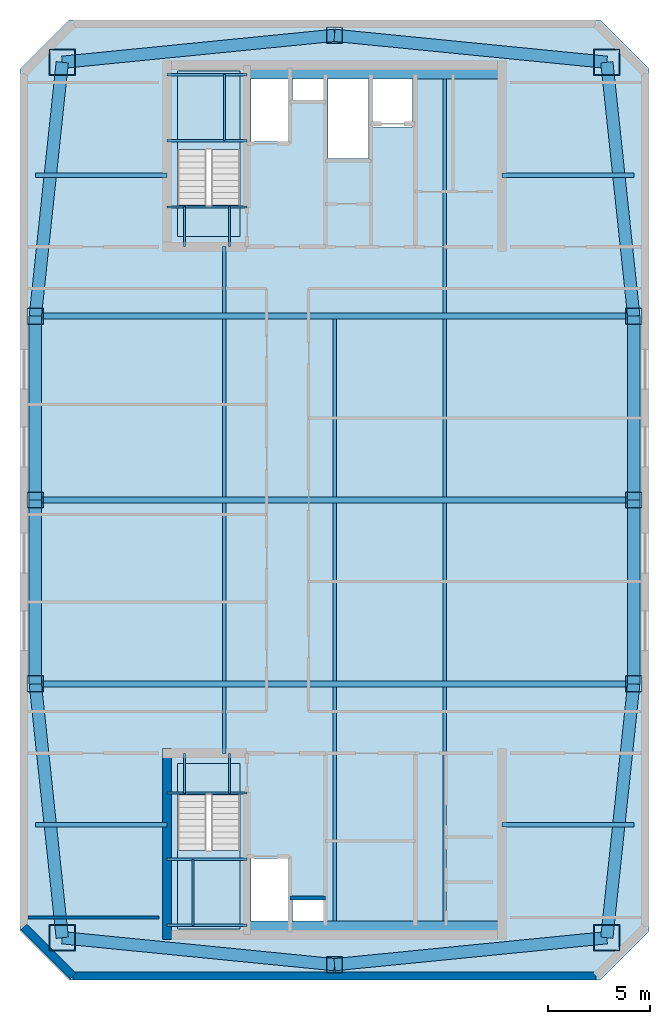
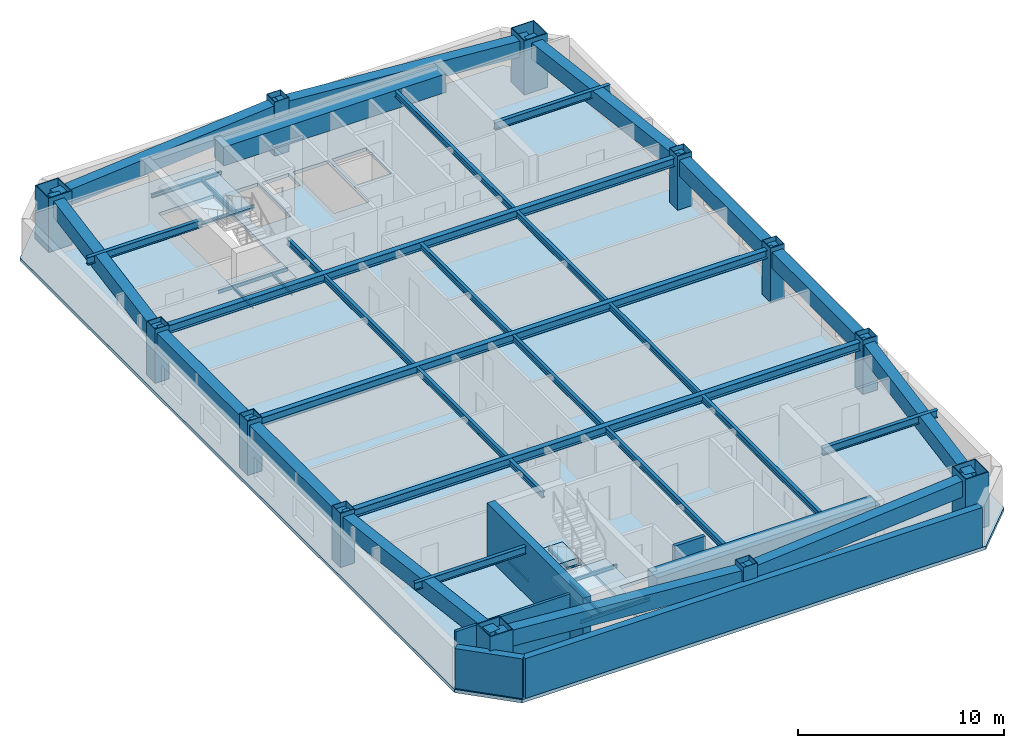
# One storey, part 1 of 5: 44 beams, 12 columns, 5 slabs, 5 walls, 2 elements without a shape of their own.
"""IFC4 building model written with IfcOpenShell, lengths in metres."""

from ifc_helpers import new_model, si_unit, direction, frame, frame_2d, origin, origin_2d, place, context, subcontext, project, spatial, polyline, rectangle, hollow_rectangle, i_section, outline, extrude, material, layer, layer_set, material_profile, profile_set, type_object, element, aggregate, save


model = new_model("IFC4")

# Units and contexts
model_context = context("Model", 3, precision=1e-05, world=origin(), true_north=direction((0.0, 1.0)))
body_context = subcontext(model_context, "Body", "Model", "MODEL_VIEW")
ifc_project = project(units=[si_unit("LENGTHUNIT", "METRE"), si_unit("AREAUNIT", "SQUARE_METRE"), si_unit("VOLUMEUNIT", "CUBIC_METRE"), si_unit("PLANEANGLEUNIT", "RADIAN"), si_unit("MASSUNIT", "GRAM", prefix="KILO")], contexts=[model_context])

# Site, building, storey
site_placement = place(None, origin())
site = spatial("IfcSite", under=ifc_project, at=site_placement, CompositionType="ELEMENT")
building_placement = place(site_placement, origin())
building = spatial("IfcBuilding", under=site, at=building_placement, Name="Qiaolan Cultural Towers", CompositionType="ELEMENT")
storey_placement = place(building_placement, frame((0.0, 0.0, 272.800048828125)))
storey = spatial("IfcBuildingStorey", under=building, at=storey_placement, Name="L75", CompositionType="ELEMENT", Elevation=272.800048828125)

# Columns
ifc_material_1 = material(Name="Steel Q390GJB", Category="steel")
ifc_material_profile_1 = material_profile(ifc_material_1, hollow_rectangle(XDim=1.300048828125, YDim=1.300048828125, WallThickness=0.044921875, at=origin_2d()), Name="BOX1300x1300x45")
ifc_profile_set_1 = profile_set([ifc_material_profile_1], Name="Steel Q390GJB")
column_type_1 = type_object("IfcColumnType", Name="COL-BOX1300x1300x45", PredefinedType="COLUMN", material=ifc_profile_set_1)
for number, where, z_axis, x_axis, name in (
    (1, (16.669921875, 12.570068359375, 0.0), (0.0, 0.0, 1.0), (1.0, 0.0, 0.0), "L75 T1 Perimeter Column MC-SW"),
    (2, (43.330078125, 12.570068359375, 0.0), (0.0, 0.0, 1.0), (1.0, 0.0, 0.0), "L75 T1 Perimeter Column MC-SE"),
    (3, (43.330078125, 55.429931640625, 0.0), (0.0, 0.0, 1.0), (1.0, 0.0, 0.0), "L75 T1 Perimeter Column MC-NE"),
    (4, (16.669921875, 55.429931640625, 0.0), (0.0, 0.0, 1.0), (1.0, 0.0, 0.0), "L75 T1 Perimeter Column MC-NW"),
):
    element("IfcColumn", number, at=place(storey_placement, frame(where, z_axis=z_axis, x_axis=x_axis)), inside=storey, type_object=column_type_1, Name=name, PredefinedType="COLUMN", context=body_context, shape_type="SweptSolid", body=[
        extrude(hollow_rectangle(XDim=1.300048828125, YDim=1.300048828125, WallThickness=0.044921875, at=origin_2d()), origin(), (0.0, 0.0, 1.0), 3.200927734375),
    ])
ifc_material_2 = material(Name="Steel Q355B", Category="steel")
ifc_material_profile_2 = material_profile(ifc_material_2, hollow_rectangle(XDim=0.800048828125, YDim=0.800048828125, WallThickness=0.028076171875, at=origin_2d()), Name="BOX800x800x28")
ifc_profile_set_2 = profile_set([ifc_material_profile_2], Name="Steel Q355B")
column_type_2 = type_object("IfcColumnType", Name="COL-BOX800x800x28", PredefinedType="COLUMN", material=ifc_profile_set_2)
for number, where, z_axis, x_axis, name in (
    (5, (15.35009765625, 25.0, 0.0), (0.0, 0.0, 1.0), (1.0, 0.0, 0.0), "L75 T1 Perimeter Column PC-W1"),
    (6, (15.35009765625, 34.0, 0.0), (0.0, 0.0, 1.0), (1.0, 0.0, 0.0), "L75 T1 Perimeter Column PC-W2"),
    (7, (15.35009765625, 43.0, 0.0), (0.0, 0.0, 1.0), (1.0, 0.0, 0.0), "L75 T1 Perimeter Column PC-W3"),
    (8, (44.64990234375, 25.0, 0.0), (0.0, 0.0, 1.0), (1.0, 0.0, 0.0), "L75 T1 Perimeter Column PC-E1"),
    (9, (44.64990234375, 34.0, 0.0), (0.0, 0.0, 1.0), (1.0, 0.0, 0.0), "L75 T1 Perimeter Column PC-E2"),
    (10, (44.64990234375, 43.0, 0.0), (0.0, 0.0, 1.0), (1.0, 0.0, 0.0), "L75 T1 Perimeter Column PC-E3"),
    (11, (30.0, 11.25, 0.0), (0.0, 0.0, 1.0), (1.0, 0.0, 0.0), "L75 T1 Perimeter Column PC-S0"),
    (12, (30.0, 56.75, 0.0), (0.0, 0.0, 1.0), (1.0, 0.0, 0.0), "L75 T1 Perimeter Column PC-N0"),
):
    element("IfcColumn", number, at=place(storey_placement, frame(where, z_axis=z_axis, x_axis=x_axis)), inside=storey, type_object=column_type_2, Name=name, PredefinedType="COLUMN", context=body_context, shape_type="SweptSolid", body=[
        extrude(hollow_rectangle(XDim=0.800048828125, YDim=0.800048828125, WallThickness=0.028076171875, at=origin_2d()), origin(), (0.0, 0.0, 1.0), 3.200927734375),
    ])

# Beams
ifc_material_3 = material(Name="Steel Q355B", Category="steel")
ifc_material_profile_3 = material_profile(ifc_material_3, i_section(OverallWidth=0.300048828125, OverallDepth=0.488037109375, WebThickness=0.010986328125, FlangeThickness=0.01806640625, at=origin_2d()), Name="HM488x300x11x18")
ifc_profile_set_3 = profile_set([ifc_material_profile_3], Name="Steel Q355B")
beam_type_1 = type_object("IfcBeamType", Name="BM-HM488x300x11x18", PredefinedType="BEAM", material=ifc_profile_set_3)
for number, where, z_axis, x_axis, name in (
    (13, (15.35009765625, 25.0, 2.696044921875), (1.0, 0.0, 0.0), (0.0, 1.0, 0.0), "L75 T1 Primary Transverse Girder V1"),
    (14, (15.35009765625, 34.0, 2.696044921875), (1.0, 0.0, 0.0), (0.0, 1.0, 0.0), "L75 T1 Primary Transverse Girder V2"),
    (15, (15.35009765625, 43.0, 2.696044921875), (1.0, 0.0, 0.0), (0.0, 1.0, 0.0), "L75 T1 Primary Transverse Girder V3"),
):
    element("IfcBeam", number, at=place(storey_placement, frame(where, z_axis=z_axis, x_axis=x_axis)), inside=storey, type_object=beam_type_1, Name=name, PredefinedType="BEAM", context=body_context, shape_type="SweptSolid", body=[
        extrude(i_section(OverallWidth=0.300048828125, OverallDepth=0.488037109375, WebThickness=0.010986328125, FlangeThickness=0.01806640625, at=origin_2d()), origin(), (0.0, 0.0, 1.0), 29.2998046875),
    ])
ifc_material_4 = material(Name="Steel Q355B", Category="steel")
ifc_material_profile_4 = material_profile(ifc_material_4, i_section(OverallWidth=0.175048828125, OverallDepth=0.35009765625, WebThickness=0.007080078125, FlangeThickness=0.010986328125, at=origin_2d()), Name="HN350x175x7x11")
ifc_profile_set_4 = profile_set([ifc_material_profile_4], Name="Steel Q355B")
beam_type_2 = type_object("IfcBeamType", Name="BM-JST-HN350x175x7x11", PredefinedType="JOIST", material=ifc_profile_set_4)
beam_1_placement = place(storey_placement, frame((24.60009765625, 21.60009765625, 2.764892578125), z_axis=(0.0, 1.0, 0.0), x_axis=(-1.0, 0.0, 0.0)))
element("IfcBeam", 16, at=beam_1_placement, inside=storey, type_object=beam_type_2, Name="L75 T1 Secondary Floor Joist U1-1", PredefinedType="JOIST", context=body_context, shape_type="SweptSolid", body=[
    extrude(i_section(OverallWidth=0.175048828125, OverallDepth=0.35009765625, WebThickness=0.007080078125, FlangeThickness=0.010986328125, at=origin_2d()), origin(), (0.0, 0.0, 1.0), 3.25),
])
for number, where, z_axis, x_axis, name in (
    (17, (24.60009765625, 25.14990234375, 2.764892578125), (0.0, 1.0, 0.0), (-1.0, 0.0, 0.0), "L75 T1 Secondary Floor Joist U1-2"),
    (18, (24.60009765625, 34.14990234375, 2.764892578125), (0.0, 1.0, 0.0), (-1.0, 0.0, 0.0), "L75 T1 Secondary Floor Joist U1-3"),
):
    element("IfcBeam", number, at=place(storey_placement, frame(where, z_axis=z_axis, x_axis=x_axis)), inside=storey, type_object=beam_type_2, Name=name, PredefinedType="JOIST", context=body_context, shape_type="SweptSolid", body=[
        extrude(i_section(OverallWidth=0.175048828125, OverallDepth=0.35009765625, WebThickness=0.007080078125, FlangeThickness=0.010986328125, at=origin_2d()), origin(), (0.0, 0.0, 1.0), 8.7001953125),
    ])
beam_2_placement = place(storey_placement, frame((24.60009765625, 43.14990234375, 2.764892578125), z_axis=(0.0, 1.0, 0.0), x_axis=(-1.0, 0.0, 0.0)))
element("IfcBeam", 19, at=beam_2_placement, inside=storey, type_object=beam_type_2, Name="L75 T1 Secondary Floor Joist U1-4", PredefinedType="JOIST", context=body_context, shape_type="SweptSolid", body=[
    extrude(i_section(OverallWidth=0.175048828125, OverallDepth=0.35009765625, WebThickness=0.007080078125, FlangeThickness=0.010986328125, at=origin_2d()), origin(), (0.0, 0.0, 1.0), 3.25),
])
beam_3_placement = place(storey_placement, frame((30.0, 13.39990234375, 2.764892578125), z_axis=(0.0, 1.0, 0.0), x_axis=(-1.0, 0.0, 0.0)))
element("IfcBeam", 20, at=beam_3_placement, inside=storey, type_object=beam_type_2, Name="L75 T1 Secondary Floor Joist U2-1", PredefinedType="JOIST", context=body_context, shape_type="SweptSolid", body=[
    extrude(i_section(OverallWidth=0.175048828125, OverallDepth=0.35009765625, WebThickness=0.007080078125, FlangeThickness=0.010986328125, at=origin_2d()), origin(), (0.0, 0.0, 1.0), 11.4501953125),
])
for number, where, z_axis, x_axis, name in (
    (21, (30.0, 25.14990234375, 2.764892578125), (0.0, 1.0, 0.0), (-1.0, 0.0, 0.0), "L75 T1 Secondary Floor Joist U2-2"),
    (22, (30.0, 34.14990234375, 2.764892578125), (0.0, 1.0, 0.0), (-1.0, 0.0, 0.0), "L75 T1 Secondary Floor Joist U2-3"),
):
    element("IfcBeam", number, at=place(storey_placement, frame(where, z_axis=z_axis, x_axis=x_axis)), inside=storey, type_object=beam_type_2, Name=name, PredefinedType="JOIST", context=body_context, shape_type="SweptSolid", body=[
        extrude(i_section(OverallWidth=0.175048828125, OverallDepth=0.35009765625, WebThickness=0.007080078125, FlangeThickness=0.010986328125, at=origin_2d()), origin(), (0.0, 0.0, 1.0), 8.7001953125),
    ])
beam_4_placement = place(storey_placement, frame((35.39990234375, 13.39990234375, 2.764892578125), z_axis=(0.0, 1.0, 0.0), x_axis=(-1.0, 0.0, 0.0)))
element("IfcBeam", 23, at=beam_4_placement, inside=storey, type_object=beam_type_2, Name="L75 T1 Secondary Floor Joist U3-1", PredefinedType="JOIST", context=body_context, shape_type="SweptSolid", body=[
    extrude(i_section(OverallWidth=0.175048828125, OverallDepth=0.35009765625, WebThickness=0.007080078125, FlangeThickness=0.010986328125, at=origin_2d()), origin(), (0.0, 0.0, 1.0), 11.4501953125),
])
for number, where, z_axis, x_axis, name in (
    (24, (35.39990234375, 25.14990234375, 2.764892578125), (0.0, 1.0, 0.0), (-1.0, 0.0, 0.0), "L75 T1 Secondary Floor Joist U3-2"),
    (25, (35.39990234375, 34.14990234375, 2.764892578125), (0.0, 1.0, 0.0), (-1.0, 0.0, 0.0), "L75 T1 Secondary Floor Joist U3-3"),
):
    element("IfcBeam", number, at=place(storey_placement, frame(where, z_axis=z_axis, x_axis=x_axis)), inside=storey, type_object=beam_type_2, Name=name, PredefinedType="JOIST", context=body_context, shape_type="SweptSolid", body=[
        extrude(i_section(OverallWidth=0.175048828125, OverallDepth=0.35009765625, WebThickness=0.007080078125, FlangeThickness=0.010986328125, at=origin_2d()), origin(), (0.0, 0.0, 1.0), 8.7001953125),
    ])
beam_5_placement = place(storey_placement, frame((35.39990234375, 43.14990234375, 2.764892578125), z_axis=(0.0, 1.0, 0.0), x_axis=(-1.0, 0.0, 0.0)))
element("IfcBeam", 26, at=beam_5_placement, inside=storey, type_object=beam_type_2, Name="L75 T1 Secondary Floor Joist U3-4", PredefinedType="JOIST", context=body_context, shape_type="SweptSolid", body=[
    extrude(i_section(OverallWidth=0.175048828125, OverallDepth=0.35009765625, WebThickness=0.007080078125, FlangeThickness=0.010986328125, at=origin_2d()), origin(), (0.0, 0.0, 1.0), 11.4501953125),
])
ifc_material_5 = material(Name="Steel Q355B", Category="steel")
ifc_material_profile_5 = material_profile(ifc_material_5, i_section(OverallWidth=0.199951171875, OverallDepth=0.449951171875, WebThickness=0.009033203125, FlangeThickness=0.013916015625, at=origin_2d()), Name="HN450x200x9x14")
ifc_profile_set_5 = profile_set([ifc_material_profile_5], Name="Steel Q355B")
beam_type_3 = type_object("IfcBeamType", Name="BM-LNT-HN450x200x9x14", PredefinedType="LINTEL", material=ifc_profile_set_5)
for number, where, z_axis, x_axis, name in (
    (27, (21.800048828125, 18.10009765625, 2.71484375), (-1.0, 0.0, 0.0), (0.0, -1.0, 0.0), "L75 T1 Core Flank Tie Lintel WS"),
    (28, (21.800048828125, 49.89990234375, 2.71484375), (-1.0, 0.0, 0.0), (0.0, -1.0, 0.0), "L75 T1 Core Flank Tie Lintel WN"),
    (29, (38.199951171875, 18.10009765625, 2.71484375), (1.0, 0.0, 0.0), (0.0, 1.0, 0.0), "L75 T1 Core Flank Tie Lintel ES"),
    (30, (38.199951171875, 49.89990234375, 2.71484375), (1.0, 0.0, 0.0), (0.0, 1.0, 0.0), "L75 T1 Core Flank Tie Lintel EN"),
):
    element("IfcBeam", number, at=place(storey_placement, frame(where, z_axis=z_axis, x_axis=x_axis)), inside=storey, type_object=beam_type_3, Name=name, PredefinedType="LINTEL", context=body_context, shape_type="SweptSolid", body=[
        extrude(i_section(OverallWidth=0.199951171875, OverallDepth=0.449951171875, WebThickness=0.009033203125, FlangeThickness=0.013916015625, at=origin_2d()), origin(), (0.0, 0.0, 1.0), 6.449951171875),
    ])
ifc_material_6 = material(Name="Concrete C50", Category="concrete")
ifc_material_profile_6 = material_profile(ifc_material_6, rectangle(XDim=0.89990234375, YDim=1.10009765625, at=origin_2d()), Name="RC900x1100")
ifc_profile_set_6 = profile_set([ifc_material_profile_6], Name="Concrete C50")
beam_type_4 = type_object("IfcBeamType", Name="BM-RC900x1100", PredefinedType="BEAM", material=ifc_profile_set_6)
for number, where, z_axis, x_axis, name in (
    (31, (25.719970703125, 12.949951171875, 2.389892578125), (1.0, 0.0, 0.0), (0.0, 1.0, 0.0), "L75 T1 Core Header Girder S"),
    (32, (25.719970703125, 55.050048828125, 2.389892578125), (1.0, 0.0, 0.0), (0.0, 1.0, 0.0), "L75 T1 Core Header Girder N"),
):
    element("IfcBeam", number, at=place(storey_placement, frame(where, z_axis=z_axis, x_axis=x_axis)), inside=storey, type_object=beam_type_4, Name=name, PredefinedType="BEAM", context=body_context, shape_type="SweptSolid", body=[
        extrude(rectangle(XDim=0.89990234375, YDim=1.10009765625, at=origin_2d()), origin(), (0.0, 0.0, 1.0), 12.47998046875),
    ])
ifc_material_7 = material(Name="Concrete C50", Category="concrete")
ifc_material_profile_7 = material_profile(ifc_material_7, rectangle(XDim=0.60009765625, YDim=0.949951171875, at=origin_2d()), Name="RC600x950")
ifc_profile_set_7 = profile_set([ifc_material_profile_7], Name="Concrete C50")
beam_type_5 = type_object("IfcBeamType", Name="BM-SPD-RC600x950", PredefinedType="SPANDREL", material=ifc_profile_set_7)
for number, where, z_axis, x_axis, name in (
    (33, (16.669921875, 12.570068359375, 2.46484375), (0.995132371263, -0.098547266143, 0.0), (0.098547266143, 0.995132371263, 0.0), "L75 T1 Perimeter Spandrel Beam 1"),
    (34, (30.0, 11.25, 2.46484375), (0.995132371263, 0.098547266143, 0.0), (-0.098547266143, 0.995132371263, 0.0), "L75 T1 Perimeter Spandrel Beam 2"),
):
    element("IfcBeam", number, at=place(storey_placement, frame(where, z_axis=z_axis, x_axis=x_axis)), inside=storey, type_object=beam_type_5, Name=name, PredefinedType="SPANDREL", context=body_context, shape_type="SweptSolid", body=[
        extrude(rectangle(XDim=0.60009765625, YDim=0.949951171875, at=origin_2d()), origin(), (0.0, 0.0, 1.0), 13.395263671875),
    ])
beam_6_placement = place(storey_placement, frame((43.330078125, 12.570068359375, 2.46484375), z_axis=(0.105587580773, 0.994410007384, 0.0), x_axis=(-0.994410007384, 0.105587580773, 0.0)))
element("IfcBeam", 35, at=beam_6_placement, inside=storey, type_object=beam_type_5, Name="L75 T1 Perimeter Spandrel Beam 3", PredefinedType="SPANDREL", context=body_context, shape_type="SweptSolid", body=[
    extrude(rectangle(XDim=0.60009765625, YDim=0.949951171875, at=origin_2d()), origin(), (0.0, 0.0, 1.0), 12.499755859375),
])
for number, where, z_axis, x_axis, name in (
    (36, (44.64990234375, 25.0, 2.46484375), (0.0, 1.0, 0.0), (-1.0, 0.0, 0.0), "L75 T1 Perimeter Spandrel Beam 4"),
    (37, (44.64990234375, 34.0, 2.46484375), (0.0, 1.0, 0.0), (-1.0, 0.0, 0.0), "L75 T1 Perimeter Spandrel Beam 5"),
):
    element("IfcBeam", number, at=place(storey_placement, frame(where, z_axis=z_axis, x_axis=x_axis)), inside=storey, type_object=beam_type_5, Name=name, PredefinedType="SPANDREL", context=body_context, shape_type="SweptSolid", body=[
        extrude(rectangle(XDim=0.60009765625, YDim=0.949951171875, at=origin_2d()), origin(), (0.0, 0.0, 1.0), 9.0),
    ])
beam_7_placement = place(storey_placement, frame((44.64990234375, 43.0, 2.46484375), z_axis=(-0.105587580773, 0.994410007384, 0.0), x_axis=(-0.994410007384, -0.105587580773, 0.0)))
element("IfcBeam", 38, at=beam_7_placement, inside=storey, type_object=beam_type_5, Name="L75 T1 Perimeter Spandrel Beam 6", PredefinedType="SPANDREL", context=body_context, shape_type="SweptSolid", body=[
    extrude(rectangle(XDim=0.60009765625, YDim=0.949951171875, at=origin_2d()), origin(), (0.0, 0.0, 1.0), 12.499755859375),
])
for number, where, z_axis, x_axis, name in (
    (39, (43.330078125, 55.429931640625, 2.46484375), (-0.995132371263, 0.098547266143, 0.0), (-0.098547266143, -0.995132371263, 0.0), "L75 T1 Perimeter Spandrel Beam 7"),
    (40, (30.0, 56.75, 2.46484375), (-0.995132371263, -0.098547266143, 0.0), (0.098547266143, -0.995132371263, 0.0), "L75 T1 Perimeter Spandrel Beam 8"),
):
    element("IfcBeam", number, at=place(storey_placement, frame(where, z_axis=z_axis, x_axis=x_axis)), inside=storey, type_object=beam_type_5, Name=name, PredefinedType="SPANDREL", context=body_context, shape_type="SweptSolid", body=[
        extrude(rectangle(XDim=0.60009765625, YDim=0.949951171875, at=origin_2d()), origin(), (0.0, 0.0, 1.0), 13.395263671875),
    ])
beam_8_placement = place(storey_placement, frame((16.669921875, 55.429931640625, 2.46484375), z_axis=(-0.105587580773, -0.994410007384, 0.0), x_axis=(0.994410007384, -0.105587580773, 0.0)))
element("IfcBeam", 41, at=beam_8_placement, inside=storey, type_object=beam_type_5, Name="L75 T1 Perimeter Spandrel Beam 9", PredefinedType="SPANDREL", context=body_context, shape_type="SweptSolid", body=[
    extrude(rectangle(XDim=0.60009765625, YDim=0.949951171875, at=origin_2d()), origin(), (0.0, 0.0, 1.0), 12.499755859375),
])
for number, where, z_axis, x_axis, name in (
    (42, (15.35009765625, 43.0, 2.46484375), (0.0, -1.0, 0.0), (1.0, 0.0, 0.0), "L75 T1 Perimeter Spandrel Beam 10"),
    (43, (15.35009765625, 34.0, 2.46484375), (0.0, -1.0, 0.0), (1.0, 0.0, 0.0), "L75 T1 Perimeter Spandrel Beam 11"),
):
    element("IfcBeam", number, at=place(storey_placement, frame(where, z_axis=z_axis, x_axis=x_axis)), inside=storey, type_object=beam_type_5, Name=name, PredefinedType="SPANDREL", context=body_context, shape_type="SweptSolid", body=[
        extrude(rectangle(XDim=0.60009765625, YDim=0.949951171875, at=origin_2d()), origin(), (0.0, 0.0, 1.0), 9.0),
    ])
beam_9_placement = place(storey_placement, frame((15.35009765625, 25.0, 2.46484375), z_axis=(0.105587580773, -0.994410007384, 0.0), x_axis=(0.994410007384, 0.105587580773, 0.0)))
element("IfcBeam", 44, at=beam_9_placement, inside=storey, type_object=beam_type_5, Name="L75 T1 Perimeter Spandrel Beam 12", PredefinedType="SPANDREL", context=body_context, shape_type="SweptSolid", body=[
    extrude(rectangle(XDim=0.60009765625, YDim=0.949951171875, at=origin_2d()), origin(), (0.0, 0.0, 1.0), 12.499755859375),
])
ifc_material_8 = material(Name="Steel Q355B", Category="steel")
ifc_material_profile_8 = material_profile(ifc_material_8, i_section(OverallWidth=0.10009765625, OverallDepth=0.199951171875, WebThickness=0.005615234375, FlangeThickness=0.008056640625, at=origin_2d()), Name="HN200x100x5.5x8")
ifc_profile_set_8 = profile_set([ifc_material_profile_8], Name="Steel Q355B")
beam_type_6 = type_object("IfcBeamType", Name="BM-STTRIM-200", PredefinedType="BEAM", material=ifc_profile_set_8)
beam_10_placement = place(storey_placement, frame((21.800048828125, 19.659912109375, -0.4599609375), z_axis=(1.0, 0.0, 0.0), x_axis=(0.0, 1.0, 0.0)))
element("IfcBeam", 45, at=beam_10_placement, inside=storey, type_object=beam_type_6, Name="L75 ST-W1 Floor Landing Header Beam", PredefinedType="BEAM", context=body_context, shape_type="SweptSolid", body=[
    extrude(i_section(OverallWidth=0.10009765625, OverallDepth=0.199951171875, WebThickness=0.005615234375, FlangeThickness=0.008056640625, at=origin_2d()), origin(), (0.0, 0.0, 1.0), 3.919921875),
])
for number, where, z_axis, x_axis, name in (
    (46, (22.64990234375, 21.60009765625, -0.4599609375), (0.0, -1.0, 0.0), (1.0, 0.0, 0.0), "L75 ST-W1 Floor Landing Stringer 1"),
    (47, (24.85009765625, 21.60009765625, -0.4599609375), (0.0, -1.0, 0.0), (1.0, 0.0, 0.0), "L75 ST-W1 Floor Landing Stringer 2"),
):
    element("IfcBeam", number, at=place(storey_placement, frame(where, z_axis=z_axis, x_axis=x_axis)), inside=storey, type_object=beam_type_6, Name=name, PredefinedType="BEAM", context=body_context, shape_type="SweptSolid", body=[
        extrude(i_section(OverallWidth=0.10009765625, OverallDepth=0.199951171875, WebThickness=0.005615234375, FlangeThickness=0.008056640625, at=origin_2d()), origin(), (0.0, 0.0, 1.0), 1.940185546875),
    ])
for number, where, z_axis, x_axis, name in (
    (48, (21.800048828125, 16.411376953125, 1.300048828125), (1.0, 0.0, 0.0), (0.0, 1.0, 0.0), "L75 ST-W1 Stair Landing Support Beam 1-1"),
    (49, (21.800048828125, 13.179931640625, 1.300048828125), (1.0, 0.0, 0.0), (0.0, 1.0, 0.0), "L75 ST-W1 Stair Landing Support Beam 1-2"),
):
    element("IfcBeam", number, at=place(storey_placement, frame(where, z_axis=z_axis, x_axis=x_axis)), inside=storey, type_object=beam_type_6, Name=name, PredefinedType="BEAM", context=body_context, shape_type="SweptSolid", body=[
        extrude(i_section(OverallWidth=0.10009765625, OverallDepth=0.199951171875, WebThickness=0.005615234375, FlangeThickness=0.008056640625, at=origin_2d()), origin(), (0.0, 0.0, 1.0), 3.919921875),
    ])
beam_11_placement = place(storey_placement, frame((23.070068359375, 16.411376953125, 1.300048828125), z_axis=(0.0, -1.0, 0.0), x_axis=(1.0, 0.0, 0.0)))
element("IfcBeam", 50, at=beam_11_placement, inside=storey, type_object=beam_type_6, Name="L75 ST-W1 Stair Landing Trimmer 1", PredefinedType="BEAM", context=body_context, shape_type="SweptSolid", body=[
    extrude(i_section(OverallWidth=0.10009765625, OverallDepth=0.199951171875, WebThickness=0.005615234375, FlangeThickness=0.008056640625, at=origin_2d()), origin(), (0.0, 0.0, 1.0), 3.2314453125),
])
beam_12_placement = place(storey_placement, frame((21.800048828125, 48.340087890625, -0.4599609375), z_axis=(1.0, 0.0, 0.0), x_axis=(0.0, 1.0, 0.0)))
element("IfcBeam", 51, at=beam_12_placement, inside=storey, type_object=beam_type_6, Name="L75 ST-W2 Floor Landing Header Beam", PredefinedType="BEAM", context=body_context, shape_type="SweptSolid", body=[
    extrude(i_section(OverallWidth=0.10009765625, OverallDepth=0.199951171875, WebThickness=0.005615234375, FlangeThickness=0.008056640625, at=origin_2d()), origin(), (0.0, 0.0, 1.0), 3.919921875),
])
for number, where, z_axis, x_axis, name in (
    (52, (22.64990234375, 46.39990234375, -0.4599609375), (0.0, 1.0, 0.0), (-1.0, 0.0, 0.0), "L75 ST-W2 Floor Landing Stringer 1"),
    (53, (24.85009765625, 46.39990234375, -0.4599609375), (0.0, 1.0, 0.0), (-1.0, 0.0, 0.0), "L75 ST-W2 Floor Landing Stringer 2"),
):
    element("IfcBeam", number, at=place(storey_placement, frame(where, z_axis=z_axis, x_axis=x_axis)), inside=storey, type_object=beam_type_6, Name=name, PredefinedType="BEAM", context=body_context, shape_type="SweptSolid", body=[
        extrude(i_section(OverallWidth=0.10009765625, OverallDepth=0.199951171875, WebThickness=0.005615234375, FlangeThickness=0.008056640625, at=origin_2d()), origin(), (0.0, 0.0, 1.0), 1.940185546875),
    ])
for number, where, z_axis, x_axis, name in (
    (54, (21.800048828125, 51.588623046875, 1.300048828125), (1.0, 0.0, 0.0), (0.0, 1.0, 0.0), "L75 ST-W2 Stair Landing Support Beam 1-1"),
    (55, (21.800048828125, 54.820068359375, 1.300048828125), (1.0, 0.0, 0.0), (0.0, 1.0, 0.0), "L75 ST-W2 Stair Landing Support Beam 1-2"),
):
    element("IfcBeam", number, at=place(storey_placement, frame(where, z_axis=z_axis, x_axis=x_axis)), inside=storey, type_object=beam_type_6, Name=name, PredefinedType="BEAM", context=body_context, shape_type="SweptSolid", body=[
        extrude(i_section(OverallWidth=0.10009765625, OverallDepth=0.199951171875, WebThickness=0.005615234375, FlangeThickness=0.008056640625, at=origin_2d()), origin(), (0.0, 0.0, 1.0), 3.919921875),
    ])
beam_13_placement = place(storey_placement, frame((24.610107421875, 51.588623046875, 1.300048828125), z_axis=(0.0, 1.0, 0.0), x_axis=(-1.0, 0.0, 0.0)))
element("IfcBeam", 56, at=beam_13_placement, inside=storey, type_object=beam_type_6, Name="L75 ST-W2 Stair Landing Trimmer 1", PredefinedType="BEAM", context=body_context, shape_type="SweptSolid", body=[
    extrude(i_section(OverallWidth=0.10009765625, OverallDepth=0.199951171875, WebThickness=0.005615234375, FlangeThickness=0.008056640625, at=origin_2d()), origin(), (0.0, 0.0, 1.0), 3.2314453125),
])

# Slab
ifc_material_9 = material(Name="Concrete C45", Category="concrete")
ifc_layer_1 = layer(ifc_material_9, 0.199951171875)
ifc_layer_set_1 = layer_set([ifc_layer_1], Name="Concrete C45")
slab_type_1 = type_object("IfcSlabType", Name="SL-HI-200", PredefinedType="FLOOR", material=ifc_layer_set_1)
slab_1_placement = place(storey_placement, frame((0.0, 0.0, -0.199951171875)))
element("IfcSlab", 57, at=slab_1_placement, inside=storey, type_object=slab_type_1, Name="L75 West Tower Floor Slab", PredefinedType="FLOOR", context=body_context, shape_type="SweptSolid", body=[
    extrude(outline(polyline([(17.0, 10.5), (43.0, 10.5), (45.39990234375, 12.89990234375), (45.39990234375, 55.10009765625), (43.0, 57.5), (17.0, 57.5), (14.60009765625, 55.10009765625), (14.60009765625, 12.89990234375), (17.0, 10.5)]), holes=[polyline([(22.300048828125, 21.10009765625), (22.300048828125, 13.0), (25.3798828125, 13.0), (25.3798828125, 21.10009765625), (22.300048828125, 21.10009765625)]), polyline([(25.3798828125, 46.89990234375), (25.3798828125, 55.0), (22.300048828125, 55.0), (22.300048828125, 46.89990234375), (25.3798828125, 46.89990234375)]), polyline([(25.89990234375, 13.199951171875), (27.75, 13.199951171875), (27.75, 16.449951171875), (25.89990234375, 16.449951171875), (25.89990234375, 13.199951171875)]), polyline([(27.93994140625, 13.25), (29.449951171875, 13.25), (29.449951171875, 14.419921875), (27.93994140625, 14.419921875), (27.93994140625, 13.25)]), polyline([(25.89990234375, 51.550048828125), (27.75, 51.550048828125), (27.75, 54.800048828125), (25.89990234375, 54.800048828125), (25.89990234375, 51.550048828125)]), polyline([(27.93994140625, 53.580078125), (29.449951171875, 53.580078125), (29.449951171875, 54.75), (27.93994140625, 54.75), (27.93994140625, 53.580078125)]), polyline([(31.8798828125, 52.27001953125), (33.820068359375, 52.27001953125), (33.820068359375, 54.75), (31.8798828125, 54.75), (31.8798828125, 52.27001953125)]), polyline([(29.679931640625, 50.719970703125), (31.659912109375, 50.719970703125), (31.659912109375, 54.75), (29.679931640625, 54.75), (29.679931640625, 50.719970703125)])]), origin(), (0.0, 0.0, 1.0), 0.199951171875),
])

# Stair, slab
ifc_material_10 = material(Name="Concrete C45", Category="concrete")
stair_type = type_object("IfcStairType", Name="STR-CORE-1500", PredefinedType="HALF_TURN_STAIR", material=ifc_material_10)
stair_1_placement = place(storey_placement, origin())
stair_1 = element("IfcStair", 58, at=stair_1_placement, inside=storey, type_object=stair_type, Name="L75 Smokeproof Exit Stair ST-W1", PredefinedType="HALF_TURN_STAIR")
ifc_material_11 = material(Name="Concrete C45", Category="concrete")
ifc_layer_2 = layer(ifc_material_11, 0.199951171875)
ifc_layer_set_2 = layer_set([ifc_layer_2], Name="Concrete C45")
slab_type_2 = type_object("IfcSlabType", Name="SL-STAIR-LAND", PredefinedType="LANDING", material=ifc_layer_set_2)
slab_2_placement = place(storey_placement, frame((0.0, 0.0, 1.39990234375)))
slab_2 = element("IfcSlab", 59, at=slab_2_placement, type_object=slab_type_2, Name="ST-W1 landing 1", PredefinedType="LANDING", context=body_context, shape_type="SweptSolid", body=[
    extrude(outline(polyline([(22.300048828125, 16.851318359375), (22.300048828125, 13.0), (25.3798828125, 13.0), (25.3798828125, 16.851318359375), (22.300048828125, 16.851318359375)])), origin(), (0.0, 0.0, 1.0), 0.199951171875),
])
aggregate(stair_1, [slab_2])

stair_2_placement = place(storey_placement, origin())
stair_2 = element("IfcStair", 60, at=stair_2_placement, inside=storey, type_object=stair_type, Name="L75 Smokeproof Exit Stair ST-W2", PredefinedType="HALF_TURN_STAIR")
slab_3_placement = place(storey_placement, frame((0.0, 0.0, 1.39990234375)))
slab_3 = element("IfcSlab", 61, at=slab_3_placement, type_object=slab_type_2, Name="ST-W2 landing 1", PredefinedType="LANDING", context=body_context, shape_type="SweptSolid", body=[
    extrude(outline(polyline([(25.3798828125, 51.148681640625), (25.3798828125, 55.0), (22.300048828125, 55.0), (22.300048828125, 51.148681640625), (25.3798828125, 51.148681640625)])), origin(), (0.0, 0.0, 1.0), 0.199951171875),
])
aggregate(stair_2, [slab_3])

# Slabs
ifc_material_12 = material(Name="Concrete C40", Category="concrete")
ifc_layer_3 = layer(ifc_material_12, 0.360107421875)
ifc_layer_set_3 = layer_set([ifc_layer_3], Name="Concrete C40")
slab_type_3 = type_object("IfcSlabType", Name="SL-STFLR-360", PredefinedType="LANDING", material=ifc_layer_set_3)
slab_4_placement = place(storey_placement, frame((0.0, 0.0, -0.360107421875)))
element("IfcSlab", 62, at=slab_4_placement, inside=storey, type_object=slab_type_3, Name="L75 ST-W1 Stair Floor Landing Slab", PredefinedType="LANDING", context=body_context, shape_type="SweptSolid", body=[
    extrude(outline(polyline([(22.302001953125, 21.097900390625), (22.302001953125, 19.548583984375), (25.3779296875, 19.548583984375), (25.3779296875, 21.097900390625), (22.302001953125, 21.097900390625)])), origin(), (0.0, 0.0, 1.0), 0.360107421875),
])
slab_5_placement = place(storey_placement, frame((0.0, 0.0, -0.360107421875)))
element("IfcSlab", 63, at=slab_5_placement, inside=storey, type_object=slab_type_3, Name="L75 ST-W2 Stair Floor Landing Slab", PredefinedType="LANDING", context=body_context, shape_type="SweptSolid", body=[
    extrude(outline(polyline([(25.3779296875, 46.902099609375), (25.3779296875, 48.451416015625), (22.302001953125, 48.451416015625), (22.302001953125, 46.902099609375), (25.3779296875, 46.902099609375)])), origin(), (0.0, 0.0, 1.0), 0.360107421875),
])

# Walls
ifc_material_13 = material(Name="Concrete C50", Category="concrete")
ifc_layer_4 = layer(ifc_material_13, 0.449951171875)
ifc_layer_set_4 = layer_set([ifc_layer_4], Name="Concrete C50")
wall_type_1 = type_object("IfcWallType", Name="WL-CORE-450", PredefinedType="SHEAR", material=ifc_layer_set_4)
wall_1_placement = place(storey_placement, frame((21.800048828125, 21.824951171875, 0.0), z_axis=(0.0, 0.0, 1.0), x_axis=(0.0, -1.0, 0.0)))
element("IfcWall", 64, at=wall_1_placement, inside=storey, type_object=wall_type_1, Name="L75 T1-CS West Core Shear Wall", PredefinedType="SHEAR", context=body_context, shape_type="SweptSolid", body=[
    extrude(rectangle(XDim=9.329833984375, YDim=0.449951171875, at=frame_2d((4.6650390625, 0.0))), origin(), (0.0, 0.0, 1.0), 3.199951171875),
])
ifc_material_14 = material(Name="Precast Concrete C50 Honed Stone Pier", Category="masonry")
ifc_layer_5 = layer(ifc_material_14, 0.39990234375)
ifc_layer_set_5 = layer_set([ifc_layer_5], Name="Precast Concrete C50 Honed Stone Pier")
wall_type_2 = type_object("IfcWallType", Name="WL-EXT-PIER-400", PredefinedType="SOLIDWALL", material=ifc_layer_set_5)
wall_2_placement = place(storey_placement, frame((42.800048828125, 10.699951171875, 0.0), z_axis=(0.0, 0.0, 1.0), x_axis=(-1.0, 0.0, 0.0)))
element("IfcWall", 65, at=wall_2_placement, inside=storey, type_object=wall_type_2, Name="L75 West Tower Precast Pier Facade Wall F7", PredefinedType="SOLIDWALL", context=body_context, shape_type="SweptSolid", body=[
    extrude(rectangle(XDim=25.60009765625, YDim=0.39990234375, at=frame_2d((12.800048828125, 0.0))), origin(), (0.0, 0.0, 1.0), 2.35986328125),
])
wall_3_placement = place(storey_placement, frame((17.199951171875, 10.699951171875, 0.0), z_axis=(0.0, 0.0, 1.0), x_axis=(-0.707070815327, 0.707142745217, 0.0)))
element("IfcWall", 66, at=wall_3_placement, inside=storey, type_object=wall_type_2, Name="L75 West Tower Precast Pier Facade Wall F8", PredefinedType="SOLIDWALL", context=body_context, shape_type="SweptSolid", body=[
    extrude(rectangle(XDim=3.39404296875, YDim=0.39990234375, at=frame_2d((1.697021484375, 0.0))), origin(), (0.0, 0.0, 1.0), 2.35986328125),
])
ifc_material_15 = material(Name="Concrete C35 Fire Wall", Category="concrete")
ifc_layer_6 = layer(ifc_material_15, 0.199951171875)
ifc_layer_set_6 = layer_set([ifc_layer_6], Name="Concrete C35 Fire Wall")
wall_type_3 = type_object("IfcWallType", Name="WL-FIRE-200", PredefinedType="PARTITIONING", material=ifc_layer_set_6)
wall_4_placement = place(storey_placement, frame((27.820068359375, 14.52001953125, 0.0), z_axis=(0.0, 0.0, 1.0), x_axis=(1.0, 0.0, 0.0)))
element("IfcWall", 67, at=wall_4_placement, inside=storey, type_object=wall_type_3, Name="L75 T1-CS Pressurization Shaft Front Wall", PredefinedType="PARTITIONING", context=body_context, shape_type="SweptSolid", body=[
    extrude(rectangle(XDim=1.72998046875, YDim=0.199951171875, at=frame_2d((0.864990234375, 0.0))), origin(), (0.0, 0.0, 1.0), 2.925048828125),
])
ifc_material_16 = material(Name="Autoclaved Aerated Concrete Block B06", Category="concrete")
ifc_layer_7 = layer(ifc_material_16, 0.14990234375)
ifc_layer_set_7 = layer_set([ifc_layer_7], Name="Autoclaved Aerated Concrete Block B06")
wall_type_4 = type_object("IfcWallType", Name="WL-PART-150", PredefinedType="PARTITIONING", material=ifc_layer_set_7)
wall_5_placement = place(storey_placement, frame((15.0, 13.550048828125, 0.0), z_axis=(0.0, 0.0, 1.0), x_axis=(1.0, 0.0, 0.0)))
element("IfcWall", 68, at=wall_5_placement, inside=storey, type_object=wall_type_4, Name="L75 T1 Flank Wall FLK-SW", PredefinedType="PARTITIONING", context=body_context, shape_type="SweptSolid", body=[
    extrude(rectangle(XDim=6.39990234375, YDim=0.14990234375, at=frame_2d((3.199951171875, 0.0))), origin(), (0.0, 0.0, 1.0), 2.925048828125),
])

save(model, "model.ifc")
